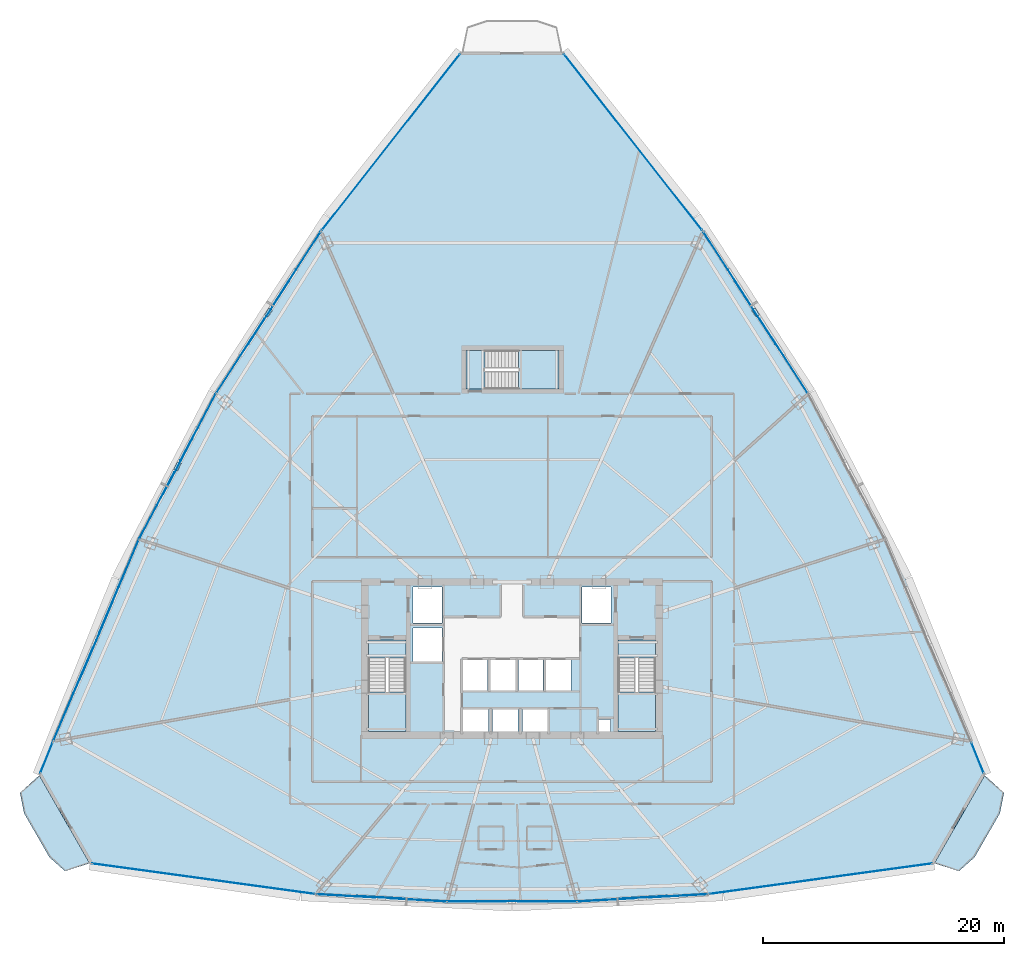
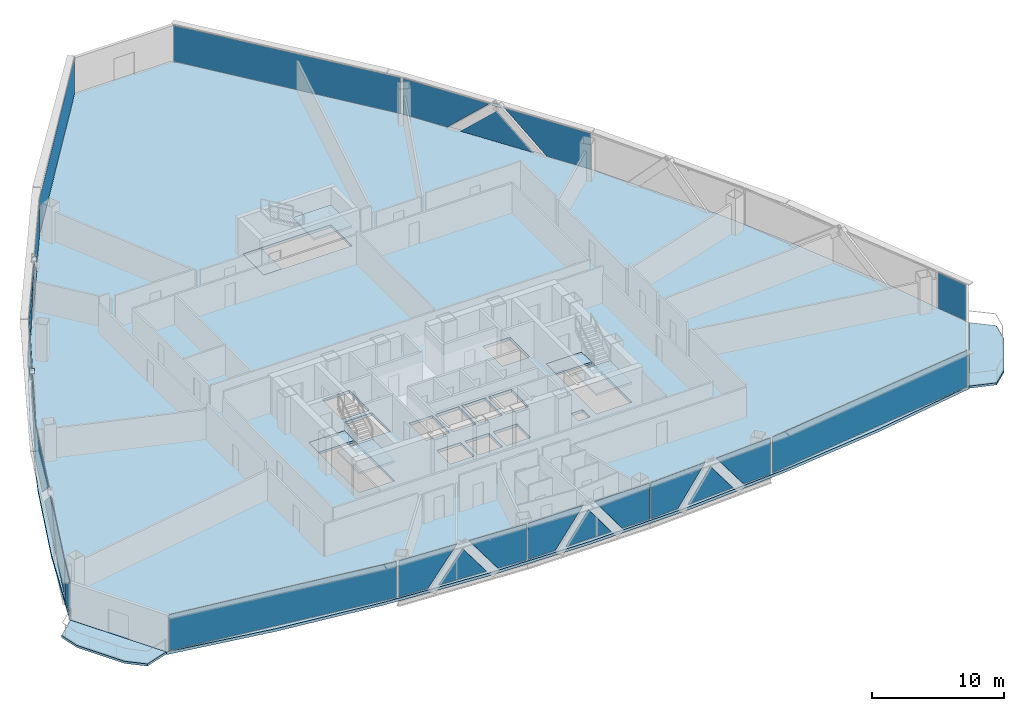
# One storey, part 30 of 39: 30 plates, 9 slabs, 16 elements without a shape of their own.
"""IFC4 building model written with IfcOpenShell, lengths in metres."""

import ifcopenshell
import ifcopenshell.guid

model = None  # the IFC model being written
_history = None  # IfcOwnerHistory: only IFC2X3 demands one
_inside = {}  # id of a spatial element -> (the spatial element, [elements in it])
_under = {}  # id of a project, library or spatial element -> (it, [spatial elements below it])
_declared = {}  # id of a project -> (the project, [libraries it declares])
_typed = {}  # id of a type object -> (the type object, [elements of that type])
_made_of = {}  # id of a material, layer set ... -> (it, [elements and type objects made of it])


def new_model(schema):
    """Start an empty IFC model of exactly this schema.

    Asked for "IFC4X3", IfcOpenShell would pick the latest addendum, in which some entities
    have other attributes; the version numbers below select the first issue.
    IFC2X3 requires an IfcOwnerHistory on every rooted entity: one is made here for all.
    """
    global model, _history
    if schema == "IFC4X3":
        model = ifcopenshell.file(schema_version=(4, 3, 0, 0))
    else:
        model = ifcopenshell.file(schema=schema)
    _inside.clear()
    _under.clear()
    _declared.clear()
    _typed.clear()
    _made_of.clear()
    _history = None
    if model.schema == "IFC2X3":
        org = make("IfcOrganization", Name="unknown")
        user = make(
            "IfcPersonAndOrganization",
            ThePerson=make("IfcPerson", FamilyName="unknown"),
            TheOrganization=org,
        )
        app = make(
            "IfcApplication",
            ApplicationDeveloper=org,
            Version="unknown",
            ApplicationFullName="unknown",
            ApplicationIdentifier="unknown",
        )
        _history = make(
            "IfcOwnerHistory",
            OwningUser=user,
            OwningApplication=app,
            ChangeAction="ADDED",
            CreationDate=0,
        )
    return model


def make(cls, **values):
    """One entity of the class cls with the attributes given. An attribute that is None is left unset."""
    return model.create_entity(
        cls, **{name: value for name, value in values.items() if value is not None}
    )


def rooted(cls, **values):
    """An entity with a GlobalId (a new one), such as an element, a storey or a relation."""
    return make(cls, GlobalId=ifcopenshell.guid.new(), OwnerHistory=_history, **values)


def si_unit(unit_type, name, prefix=None):
    """IfcSIUnit, for example si_unit("LENGTHUNIT", "METRE", prefix="MILLI")."""
    return make("IfcSIUnit", UnitType=unit_type, Prefix=prefix, Name=name)


def assignment(units):
    """IfcUnitAssignment: the units of a project."""
    return None if units is None else make("IfcUnitAssignment", Units=units)


def point(xyz):
    """IfcCartesianPoint."""
    return None if xyz is None else make("IfcCartesianPoint", Coordinates=xyz)


def direction(xyz):
    """IfcDirection."""
    return None if xyz is None else make("IfcDirection", DirectionRatios=xyz)


def frame(location, z_axis=None, x_axis=None):
    """IfcAxis2Placement3D, a coordinate frame: its origin and axes. An axis left out is left unset."""
    return make(
        "IfcAxis2Placement3D",
        Location=point(location),
        Axis=direction(z_axis),
        RefDirection=direction(x_axis),
    )


def frame_2d(location, x_axis=None):
    """IfcAxis2Placement2D, a coordinate frame in the plane: its origin and x axis."""
    return make(
        "IfcAxis2Placement2D", Location=point(location), RefDirection=direction(x_axis)
    )


def origin():
    """The frame at (0, 0, 0) with its axes left unset."""
    return frame((0.0, 0.0, 0.0))


def origin_2d():
    """The frame at (0, 0) in the plane with its x axis left unset."""
    return frame_2d((0.0, 0.0))


def place(relative_to, where):
    """IfcLocalPlacement: puts the frame where relative to a parent placement (None: the world)."""
    return make(
        "IfcLocalPlacement", PlacementRelTo=relative_to, RelativePlacement=where
    )


def context(
    kind, dimensions, precision=None, world=None, true_north=None, identifier=None
):
    """IfcGeometricRepresentationContext, for example the 3D "Model" context."""
    return make(
        "IfcGeometricRepresentationContext",
        ContextIdentifier=identifier,
        ContextType=kind,
        CoordinateSpaceDimension=dimensions,
        Precision=precision,
        WorldCoordinateSystem=world,
        TrueNorth=true_north,
    )


def subcontext(parent, identifier, kind, view, scale=None):
    """IfcGeometricRepresentationSubContext, for example "Body" below "Model"."""
    return make(
        "IfcGeometricRepresentationSubContext",
        ContextIdentifier=identifier,
        ContextType=kind,
        ParentContext=parent,
        TargetScale=scale,
        TargetView=view,
    )


def project(units=None, contexts=None):
    """IfcProject with its units and contexts."""
    return rooted(
        "IfcProject",
        Name="project",
        RepresentationContexts=contexts,
        UnitsInContext=assignment(units),
    )


def spatial(cls, under=None, at=None, **own):
    """A site, building, storey or space (cls), placed at a placement, below another one or the project."""
    s = rooted(cls, ObjectPlacement=at, **own)
    if under is not None:
        _under.setdefault(under.id(), (under, []))[1].append(s)
    return s


def polyline(points):
    """IfcPolyline through the points."""
    return make("IfcPolyline", Points=[point(p) for p in points])


def profile(cls, at=None, kind="AREA", **sizes):
    """A parametric profile (cls). Its sizes go by their IFC names, for example OverallWidth=200.0."""
    return make(cls, ProfileType=kind, Position=at, **sizes)


def rectangle(**sizes):
    """IfcRectangleProfileDef."""
    return profile("IfcRectangleProfileDef", **sizes)


def outline(outer, holes=None, kind="AREA"):
    """IfcArbitraryClosedProfileDef: a profile drawn as a closed curve; with holes, ...WithVoids."""
    if holes is None:
        return make("IfcArbitraryClosedProfileDef", ProfileType=kind, OuterCurve=outer)
    return make(
        "IfcArbitraryProfileDefWithVoids",
        ProfileType=kind,
        OuterCurve=outer,
        InnerCurves=holes,
    )


def extrude(swept, where, along, depth):
    """IfcExtrudedAreaSolid: the profile swept, set in the frame where, extruded along a direction by depth."""
    return make(
        "IfcExtrudedAreaSolid",
        SweptArea=swept,
        Position=where,
        ExtrudedDirection=direction(along),
        Depth=depth,
    )


def shape(context_of_items, identifier, shape_type, items):
    """IfcShapeRepresentation: the items that make up one representation, for example the "Body"."""
    return make(
        "IfcShapeRepresentation",
        ContextOfItems=context_of_items,
        RepresentationIdentifier=identifier,
        RepresentationType=shape_type,
        Items=items,
    )


def source(mapping_origin, context_of_items, identifier, shape_type, items):
    """IfcRepresentationMap: a shape defined once, which mapped items show again and again."""
    return make(
        "IfcRepresentationMap",
        MappingOrigin=mapping_origin,
        MappedRepresentation=shape(context_of_items, identifier, shape_type, items),
    )


def transform(
    local_origin,
    x_axis=None,
    y_axis=None,
    z_axis=None,
    scale=None,
    scale2=None,
    scale3=None,
    uniform=True,
):
    """IfcCartesianTransformationOperator3D, or its non-uniform kind. x_axis, y_axis, z_axis: its Axis1, 2, 3."""
    if uniform:
        return make(
            "IfcCartesianTransformationOperator3D",
            Axis1=direction(x_axis),
            Axis2=direction(y_axis),
            LocalOrigin=point(local_origin),
            Scale=scale,
            Axis3=direction(z_axis),
        )
    return make(
        "IfcCartesianTransformationOperator3DnonUniform",
        Axis1=direction(x_axis),
        Axis2=direction(y_axis),
        LocalOrigin=point(local_origin),
        Scale=scale,
        Axis3=direction(z_axis),
        Scale2=scale2,
        Scale3=scale3,
    )


def mapped(mapping_source, mapping_target):
    """IfcMappedItem: shows the shape of a source again, moved by a transform."""
    return make(
        "IfcMappedItem", MappingSource=mapping_source, MappingTarget=mapping_target
    )


def material(Name=None, Category=None):
    """IfcMaterial."""
    return make("IfcMaterial", Name=Name, Category=Category)


def layer(
    of_material, thickness, ventilated=None, Name=None, Category=None, Priority=None
):
    """IfcMaterialLayer: one layer of a wall or slab, of a material (None: an air gap)."""
    return make(
        "IfcMaterialLayer",
        Material=of_material,
        LayerThickness=thickness,
        IsVentilated=ventilated,
        Name=Name,
        Category=Category,
        Priority=Priority,
    )


def layer_set(layers, Name=None):
    """IfcMaterialLayerSet."""
    return make("IfcMaterialLayerSet", MaterialLayers=layers, LayerSetName=Name)


def made_of(thing, what):
    """Note that an element or type object is made of a material, layer set ...; save() writes the relation."""
    if what is not None:
        _made_of.setdefault(what.id(), (what, []))[1].append(thing)
    return thing


def type_object(cls, material=None, **own):
    """A type object (cls), such as IfcWallType, which elements share."""
    return made_of(rooted(cls, **own), material)


def element(
    cls,
    number,
    at=None,
    inside=None,
    cuts=None,
    type_object=None,
    material=None,
    context=None,
    identifier="Body",
    shape_type=None,
    held_by="IfcProductDefinitionShape",
    body=None,
    shapes=None,
    **own,
):
    """One element of the class cls, such as IfcWall. Its Tag is "e" and its number.

    at: its placement. inside: the storey or other place that contains it. cuts: it is an
    opening in that element (IfcRelVoidsElement). A single representation is given by context,
    identifier, shape_type and body (its items); several are given by shapes. held_by: the class
    of the entity that holds the representations. save() writes the other relations.
    """
    e = rooted(cls, Tag="e%d" % number, ObjectPlacement=at, **own)
    if body is not None:
        shapes = [shape(context, identifier, shape_type, body)]
    if shapes is not None:
        e.Representation = make(held_by, Representations=shapes)
    if inside is not None:
        _inside.setdefault(inside.id(), (inside, []))[1].append(e)
    if cuts is not None:
        rooted(
            "IfcRelVoidsElement", RelatingBuildingElement=cuts, RelatedOpeningElement=e
        )
    if type_object is not None:
        _typed.setdefault(type_object.id(), (type_object, []))[1].append(e)
    return made_of(e, material)


def aggregate(whole, parts):
    """IfcRelAggregates: a whole, such as a stair, and the parts it consists of."""
    return rooted("IfcRelAggregates", RelatingObject=whole, RelatedObjects=parts)


def save(model, path):
    """Write the relations noted so far, then the file.

    IfcRelAggregates (storeys below a building ...), IfcRelContainedInSpatialStructure (elements
    in a storey), IfcRelDefinesByType, IfcRelAssociatesMaterial and IfcRelDeclares: one each for
    every whole, place, type object, material and project.
    """
    for whole, parts in _under.values():
        aggregate(whole, parts)
    for where, things in _inside.values():
        rooted(
            "IfcRelContainedInSpatialStructure",
            RelatedElements=things,
            RelatingStructure=where,
        )
    for kind, things in _typed.values():
        rooted("IfcRelDefinesByType", RelatedObjects=things, RelatingType=kind)
    for what, things in _made_of.values():
        rooted("IfcRelAssociatesMaterial", RelatedObjects=things, RelatingMaterial=what)
    for by, libraries in _declared.values():
        rooted("IfcRelDeclares", RelatingContext=by, RelatedDefinitions=libraries)
    model.write(path)


model = new_model("IFC4")

# Units and contexts
model_context = context("Model", 3, precision=1e-05, world=origin(), true_north=direction((0.0, 1.0)))
body_context = subcontext(model_context, "Body", "Model", "MODEL_VIEW")
ifc_project = project(units=[si_unit("LENGTHUNIT", "METRE"), si_unit("AREAUNIT", "SQUARE_METRE"), si_unit("VOLUMEUNIT", "CUBIC_METRE"), si_unit("PLANEANGLEUNIT", "RADIAN"), si_unit("MASSUNIT", "GRAM", prefix="KILO"), si_unit("THERMODYNAMICTEMPERATUREUNIT", "KELVIN"), si_unit("POWERUNIT", "WATT")], contexts=[model_context])

# Site, building, storey
site_placement = place(None, origin())
site = spatial("IfcSite", under=ifc_project, at=site_placement, CompositionType="ELEMENT")
building_placement = place(site_placement, origin())
building = spatial("IfcBuilding", under=site, at=building_placement, Name="Yunzhuo Pagoda Commons", CompositionType="ELEMENT")
storey_placement = place(building_placement, frame((0.0, 0.0, 162.949951171875)))
storey = spatial("IfcBuildingStorey", under=building, at=storey_placement, Name="L41", CompositionType="ELEMENT", Elevation=162.949951171875)

# Curtain wall, plates
ifc_material_1 = material(Name="Anodized aluminium 6063-T6", Category="aluminium")
ifc_layer_1 = layer(ifc_material_1, 0.14990234375)
ifc_layer_set_1 = layer_set([ifc_layer_1], Name="Anodized aluminium 6063-T6")
curtain_wall_type = type_object("IfcCurtainWallType", Name="CW-MID Mid-Zone Ribbon Curtain Wall", PredefinedType="NOTDEFINED", material=ifc_layer_set_1)
curtain_wall_1_placement = place(storey_placement, origin())
curtain_wall_1 = element("IfcCurtainWall", 1, at=curtain_wall_1_placement, inside=storey, type_object=curtain_wall_type, Name="L41 curtain wall CW-L41-F1B2", PredefinedType="NOTDEFINED")
ifc_material_2 = material(Name="Tempered low-e double glazing", Category="glass")
ifc_layer_2 = layer(ifc_material_2, 0.028076171875)
ifc_layer_set_2 = layer_set([ifc_layer_2], Name="Tempered low-e double glazing")
plate_type_1 = type_object("IfcPlateType", Name="CW-MID-P Low-E Double Glazing 28", PredefinedType="CURTAIN_PANEL", material=ifc_layer_set_2)
plate_1_placement = place(storey_placement, frame((34.23974609375, 14.195068359375, 1.7099609375), z_axis=(-0.056298716731, -0.998413969501, 0.0), x_axis=(0.998413969501, -0.056298716731, 0.0)))
plate_1 = element("IfcPlate", 2, at=plate_1_placement, type_object=plate_type_1, Name="CW panel 1.1 lite 1", PredefinedType="CURTAIN_PANEL", context=body_context, shape_type="SweptSolid", body=[
    extrude(outline(polyline([(-2.443115234375, -1.655029296875), (-0.012451171875, -1.655029296875), (2.443115234375, 1.655029296875), (-2.443115234375, 1.655029296875), (-2.443115234375, -1.655029296875)])), origin(), (0.0, 0.0, 1.0), 0.028076171875),
])
plate_2_placement = place(storey_placement, frame((37.19384765625, 14.05859375, 1.418701171875), z_axis=(-0.056298716731, -0.998413969501, 0.0), x_axis=(0.998413969501, -0.056298716731, 0.0)))
plate_2 = element("IfcPlate", 3, at=plate_2_placement, type_object=plate_type_1, Name="CW panel 1.1 lite 2", PredefinedType="CURTAIN_PANEL", context=body_context, shape_type="SweptSolid", body=[
    extrude(outline(polyline([(-2.023193359375, -1.363525390625), (2.023193359375, -1.363525390625), (0.0, 1.363525390625), (-2.023193359375, -1.363525390625)])), origin(), (0.0, 0.0, 1.0), 0.028076171875),
])
plate_3_placement = place(storey_placement, frame((40.14453125, 13.862060546875, 1.7099609375), z_axis=(-0.056298716731, -0.998413969501, 0.0), x_axis=(0.998413969501, -0.056298716731, 0.0)))
plate_3 = element("IfcPlate", 4, at=plate_3_placement, type_object=plate_type_1, Name="CW panel 1.1 lite 3", PredefinedType="CURTAIN_PANEL", context=body_context, shape_type="SweptSolid", body=[
    extrude(outline(polyline([(-2.443115234375, 1.655029296875), (0.012451171875, -1.655029296875), (2.443115234375, -1.655029296875), (2.443115234375, 1.655029296875), (-2.443115234375, 1.655029296875)])), origin(), (0.0, 0.0, 1.0), 0.028076171875),
])
aggregate(curtain_wall_1, [plate_1, plate_2, plate_3])

curtain_wall_2_placement = place(storey_placement, origin())
curtain_wall_2 = element("IfcCurtainWall", 5, at=curtain_wall_2_placement, inside=storey, type_object=curtain_wall_type, Name="L41 curtain wall CW-L41-F1B3", PredefinedType="NOTDEFINED")
plate_4_placement = place(storey_placement, frame((45.096435546875, 13.72119140625, 1.7099609375), z_axis=(0.0, -1.0, 0.0), x_axis=(1.0, 0.0, 0.0)))
plate_4 = element("IfcPlate", 6, at=plate_4_placement, type_object=plate_type_1, Name="CW panel 1.1 lite 1", PredefinedType="CURTAIN_PANEL", context=body_context, shape_type="SweptSolid", body=[
    extrude(outline(polyline([(-2.3935546875, -1.655029296875), (-0.015625, -1.655029296875), (2.3935546875, 1.655029296875), (-2.3935546875, 1.655029296875), (-2.3935546875, -1.655029296875)])), origin(), (0.0, 0.0, 1.0), 0.028076171875),
])
plate_5_placement = place(storey_placement, frame((48.0, 13.75146484375, 1.41455078125), z_axis=(0.0, -1.0, 0.0), x_axis=(1.0, 0.0, 0.0)))
plate_5 = element("IfcPlate", 7, at=plate_5_placement, type_object=plate_type_1, Name="CW panel 1.1 lite 2", PredefinedType="CURTAIN_PANEL", context=body_context, shape_type="SweptSolid", body=[
    extrude(outline(polyline([(-1.979248046875, -1.359619140625), (1.979248046875, -1.359619140625), (0.0, 1.359619140625), (-1.979248046875, -1.359619140625)])), origin(), (0.0, 0.0, 1.0), 0.028076171875),
])
plate_6_placement = place(storey_placement, frame((50.903564453125, 13.72119140625, 1.7099609375), z_axis=(0.0, -1.0, 0.0), x_axis=(1.0, 0.0, 0.0)))
plate_6 = element("IfcPlate", 8, at=plate_6_placement, type_object=plate_type_1, Name="CW panel 1.1 lite 3", PredefinedType="CURTAIN_PANEL", context=body_context, shape_type="SweptSolid", body=[
    extrude(outline(polyline([(-2.3935546875, 1.655029296875), (0.015625, -1.655029296875), (2.3935546875, -1.655029296875), (2.3935546875, 1.655029296875), (-2.3935546875, 1.655029296875)])), origin(), (0.0, 0.0, 1.0), 0.028076171875),
])
aggregate(curtain_wall_2, [plate_4, plate_5, plate_6])

curtain_wall_3_placement = place(storey_placement, origin())
curtain_wall_3 = element("IfcCurtainWall", 9, at=curtain_wall_3_placement, inside=storey, type_object=curtain_wall_type, Name="L41 curtain wall CW-L41-F1B4", PredefinedType="NOTDEFINED")
plate_7_placement = place(storey_placement, frame((55.85546875, 13.862060546875, 1.7099609375), z_axis=(0.056298716731, -0.998413969501, 0.0), x_axis=(0.998413969501, 0.056298716731, 0.0)))
plate_7 = element("IfcPlate", 10, at=plate_7_placement, type_object=plate_type_1, Name="CW panel 1.1 lite 1", PredefinedType="CURTAIN_PANEL", context=body_context, shape_type="SweptSolid", body=[
    extrude(outline(polyline([(-2.443115234375, -1.655029296875), (-0.012451171875, -1.655029296875), (2.443115234375, 1.655029296875), (-2.443115234375, 1.655029296875), (-2.443115234375, -1.655029296875)])), origin(), (0.0, 0.0, 1.0), 0.028076171875),
])
plate_8_placement = place(storey_placement, frame((58.80615234375, 14.05859375, 1.418701171875), z_axis=(0.056298716731, -0.998413969501, 0.0), x_axis=(0.998413969501, 0.056298716731, 0.0)))
plate_8 = element("IfcPlate", 11, at=plate_8_placement, type_object=plate_type_1, Name="CW panel 1.1 lite 2", PredefinedType="CURTAIN_PANEL", context=body_context, shape_type="SweptSolid", body=[
    extrude(outline(polyline([(-2.023193359375, -1.363525390625), (2.023193359375, -1.363525390625), (0.0, 1.363525390625), (-2.023193359375, -1.363525390625)])), origin(), (0.0, 0.0, 1.0), 0.028076171875),
])
plate_9_placement = place(storey_placement, frame((61.76025390625, 14.195068359375, 1.7099609375), z_axis=(0.056298716731, -0.998413969501, 0.0), x_axis=(0.998413969501, 0.056298716731, 0.0)))
plate_9 = element("IfcPlate", 12, at=plate_9_placement, type_object=plate_type_1, Name="CW panel 1.1 lite 3", PredefinedType="CURTAIN_PANEL", context=body_context, shape_type="SweptSolid", body=[
    extrude(outline(polyline([(-2.443115234375, 1.655029296875), (0.012451171875, -1.655029296875), (2.443115234375, -1.655029296875), (2.443115234375, 1.655029296875), (-2.443115234375, 1.655029296875)])), origin(), (0.0, 0.0, 1.0), 0.028076171875),
])
aggregate(curtain_wall_3, [plate_7, plate_8, plate_9])

curtain_wall_4_placement = place(storey_placement, origin())
curtain_wall_4 = element("IfcCurtainWall", 13, at=curtain_wall_4_placement, inside=storey, type_object=curtain_wall_type, Name="L41 curtain wall CW-L41-F2B4", PredefinedType="NOTDEFINED")
plate_10_placement = place(storey_placement, frame((70.509033203125, 58.92333984375, 1.7099609375), z_axis=(0.839466065689, 0.543412113002, 0.0), x_axis=(-0.543412113002, 0.839466065689, 0.0)))
plate_10 = element("IfcPlate", 14, at=plate_10_placement, type_object=plate_type_1, Name="CW panel 1.1 lite 1", PredefinedType="CURTAIN_PANEL", context=body_context, shape_type="SweptSolid", body=[
    extrude(outline(polyline([(-3.667724609375, -1.655029296875), (0.06201171875, -1.655029296875), (3.66748046875, 1.655029296875), (-3.667724609375, 1.655029296875), (-3.667724609375, -1.655029296875)])), origin(), (0.0, 0.0, 1.0), 0.028076171875),
])
plate_11_placement = place(storey_placement, frame((68.15283203125, 62.5078125, 1.479736328125), z_axis=(0.839466065689, 0.543412113002, 0.0), x_axis=(-0.543412113002, 0.839466065689, 0.0)))
plate_11 = element("IfcPlate", 15, at=plate_11_placement, type_object=plate_type_1, Name="CW panel 1.1 lite 2", PredefinedType="CURTAIN_PANEL", context=body_context, shape_type="SweptSolid", body=[
    extrude(outline(polyline([(-3.103515625, -1.424560546875), (3.103515625, -1.424560546875), (0.0, 1.424560546875), (-3.103515625, -1.424560546875)])), origin(), (0.0, 0.0, 1.0), 0.028076171875),
])
plate_12_placement = place(storey_placement, frame((65.84716796875, 66.125, 1.7099609375), z_axis=(0.839466065689, 0.543412113002, 0.0), x_axis=(-0.543412113002, 0.839466065689, 0.0)))
plate_12 = element("IfcPlate", 16, at=plate_12_placement, type_object=plate_type_1, Name="CW panel 1.1 lite 3", PredefinedType="CURTAIN_PANEL", context=body_context, shape_type="SweptSolid", body=[
    extrude(outline(polyline([(-3.66748046875, 1.655029296875), (-0.06201171875, -1.655029296875), (3.667724609375, -1.655029296875), (3.667724609375, 1.655029296875), (-3.66748046875, 1.655029296875)])), origin(), (0.0, 0.0, 1.0), 0.028076171875),
])
aggregate(curtain_wall_4, [plate_10, plate_11, plate_12])

curtain_wall_5_placement = place(storey_placement, origin())
curtain_wall_5 = element("IfcCurtainWall", 17, at=curtain_wall_5_placement, inside=storey, type_object=curtain_wall_type, Name="L41 curtain wall CW-L41-F3B2", PredefinedType="NOTDEFINED")
plate_13_placement = place(storey_placement, frame((30.15283203125, 66.125, 1.7099609375), z_axis=(-0.839466065689, 0.543412113002, 0.0), x_axis=(-0.543412113002, -0.839466065689, 0.0)))
plate_13 = element("IfcPlate", 18, at=plate_13_placement, type_object=plate_type_1, Name="CW panel 1.1 lite 1", PredefinedType="CURTAIN_PANEL", context=body_context, shape_type="SweptSolid", body=[
    extrude(outline(polyline([(-3.667724609375, -1.655029296875), (0.06201171875, -1.655029296875), (3.66748046875, 1.655029296875), (-3.667724609375, 1.655029296875), (-3.667724609375, -1.655029296875)])), origin(), (0.0, 0.0, 1.0), 0.028076171875),
])
plate_14_placement = place(storey_placement, frame((27.84716796875, 62.5078125, 1.479736328125), z_axis=(-0.839466065689, 0.543412113002, 0.0), x_axis=(-0.543412113002, -0.839466065689, 0.0)))
plate_14 = element("IfcPlate", 19, at=plate_14_placement, type_object=plate_type_1, Name="CW panel 1.1 lite 2", PredefinedType="CURTAIN_PANEL", context=body_context, shape_type="SweptSolid", body=[
    extrude(outline(polyline([(-3.103515625, -1.424560546875), (3.103515625, -1.424560546875), (0.0, 1.424560546875), (-3.103515625, -1.424560546875)])), origin(), (0.0, 0.0, 1.0), 0.028076171875),
])
plate_15_placement = place(storey_placement, frame((25.490966796875, 58.92333984375, 1.7099609375), z_axis=(-0.839466065689, 0.543412113002, 0.0), x_axis=(-0.543412113002, -0.839466065689, 0.0)))
plate_15 = element("IfcPlate", 20, at=plate_15_placement, type_object=plate_type_1, Name="CW panel 1.1 lite 3", PredefinedType="CURTAIN_PANEL", context=body_context, shape_type="SweptSolid", body=[
    extrude(outline(polyline([(-3.66748046875, 1.655029296875), (-0.06201171875, -1.655029296875), (3.667724609375, -1.655029296875), (3.667724609375, 1.655029296875), (-3.66748046875, 1.655029296875)])), origin(), (0.0, 0.0, 1.0), 0.028076171875),
])
aggregate(curtain_wall_5, [plate_13, plate_14, plate_15])

curtain_wall_6_placement = place(storey_placement, origin())
curtain_wall_6 = element("IfcCurtainWall", 21, at=curtain_wall_6_placement, inside=storey, type_object=curtain_wall_type, Name="L41 curtain wall CW-L41-F3B3", PredefinedType="NOTDEFINED")
plate_16_placement = place(storey_placement, frame((21.9931640625, 53.005859375, 1.7099609375), z_axis=(-0.88426270096, 0.466989802556, 0.0), x_axis=(-0.466989802556, -0.88426270096, 0.0)))
plate_16 = element("IfcPlate", 22, at=plate_16_placement, type_object=plate_type_1, Name="CW panel 1.1 lite 1", PredefinedType="CURTAIN_PANEL", context=body_context, shape_type="SweptSolid", body=[
    extrude(outline(polyline([(-3.09423828125, -1.655029296875), (0.0283203125, -1.655029296875), (3.094482421875, 1.655029296875), (-3.09423828125, 1.655029296875), (-3.09423828125, -1.655029296875)])), origin(), (0.0, 0.0, 1.0), 0.028076171875),
])
plate_17_placement = place(storey_placement, frame((20.308837890625, 49.75244140625, 1.4580078125), z_axis=(-0.88426270096, 0.466989802556, 0.0), x_axis=(-0.466989802556, -0.88426270096, 0.0)))
plate_17 = element("IfcPlate", 23, at=plate_17_placement, type_object=plate_type_1, Name="CW panel 1.1 lite 2", PredefinedType="CURTAIN_PANEL", context=body_context, shape_type="SweptSolid", body=[
    extrude(outline(polyline([(-2.59912109375, -1.40283203125), (2.59912109375, -1.40283203125), (0.0, 1.40283203125), (-2.59912109375, -1.40283203125)])), origin(), (0.0, 0.0, 1.0), 0.028076171875),
])
plate_18_placement = place(storey_placement, frame((18.571533203125, 46.52734375, 1.7099609375), z_axis=(-0.88426270096, 0.466989802556, 0.0), x_axis=(-0.466989802556, -0.88426270096, 0.0)))
plate_18 = element("IfcPlate", 24, at=plate_18_placement, type_object=plate_type_1, Name="CW panel 1.1 lite 3", PredefinedType="CURTAIN_PANEL", context=body_context, shape_type="SweptSolid", body=[
    extrude(outline(polyline([(-3.094482421875, 1.655029296875), (-0.0283203125, -1.655029296875), (3.09423828125, -1.655029296875), (3.09423828125, 1.655029296875), (-3.094482421875, 1.655029296875)])), origin(), (0.0, 0.0, 1.0), 0.028076171875),
])
aggregate(curtain_wall_6, [plate_16, plate_17, plate_18])

curtain_wall_7_placement = place(storey_placement, origin())
curtain_wall_7 = element("IfcCurtainWall", 25, at=curtain_wall_7_placement, inside=storey, type_object=curtain_wall_type, Name="L41 curtain wall CW-L41-F3B4", PredefinedType="NOTDEFINED")
plate_19_placement = place(storey_placement, frame((15.439453125, 39.833251953125, 1.7099609375), z_axis=(-0.920363798122, 0.391063267395, 0.0), x_axis=(-0.391063267395, -0.920363798122, 0.0)))
plate_19 = element("IfcPlate", 26, at=plate_19_placement, type_object=plate_type_1, Name="CW panel 1.1 lite 1", PredefinedType="CURTAIN_PANEL", context=body_context, shape_type="SweptSolid", body=[
    extrude(outline(polyline([(-4.183837890625, -1.655029296875), (0.09130859375, -1.655029296875), (4.183837890625, 1.655029296875), (-4.183837890625, 1.655029296875), (-4.183837890625, -1.655029296875)])), origin(), (0.0, 0.0, 1.0), 0.028076171875),
])
plate_20_placement = place(storey_placement, frame((13.56787109375, 35.352294921875, 1.4931640625), z_axis=(-0.920363798122, 0.391063267395, 0.0), x_axis=(-0.391063267395, -0.920363798122, 0.0)))
plate_20 = element("IfcPlate", 27, at=plate_20_placement, type_object=plate_type_1, Name="CW panel 1.1 lite 2", PredefinedType="CURTAIN_PANEL", context=body_context, shape_type="SweptSolid", body=[
    extrude(outline(polyline([(-3.55615234375, -1.438232421875), (3.55615234375, -1.438232421875), (0.0, 1.438232421875), (-3.55615234375, -1.438232421875)])), origin(), (0.0, 0.0, 1.0), 0.028076171875),
])
plate_21_placement = place(storey_placement, frame((11.641357421875, 30.89453125, 1.7099609375), z_axis=(-0.920363798122, 0.391063267395, 0.0), x_axis=(-0.391063267395, -0.920363798122, 0.0)))
plate_21 = element("IfcPlate", 28, at=plate_21_placement, type_object=plate_type_1, Name="CW panel 1.1 lite 3", PredefinedType="CURTAIN_PANEL", context=body_context, shape_type="SweptSolid", body=[
    extrude(outline(polyline([(-4.183837890625, 1.655029296875), (-0.09130859375, -1.655029296875), (4.183837890625, -1.655029296875), (4.183837890625, 1.655029296875), (-4.183837890625, 1.655029296875)])), origin(), (0.0, 0.0, 1.0), 0.028076171875),
])
aggregate(curtain_wall_7, [plate_19, plate_20, plate_21])

# Slabs
ifc_material_3 = material(Name="Concrete C40", Category="concrete")
ifc_layer_3 = layer(ifc_material_3, 0.199951171875)
ifc_layer_set_3 = layer_set([ifc_layer_3], Name="Concrete C40")
slab_type_1 = type_object("IfcSlabType", Name="SL-BAL Vertex Balcony Deck Slab 200", PredefinedType="FLOOR", material=ifc_layer_set_3)
slab_1_placement = place(storey_placement, frame((0.0, 0.0, -0.199951171875)))
element("IfcSlab", 29, at=slab_1_placement, inside=storey, type_object=slab_type_1, Name="L41 corner balcony V1", PredefinedType="FLOOR", context=body_context, shape_type="SweptSolid", body=[
    extrude(outline(polyline([(8.81396484375, 24.16455078125), (12.994384765625, 16.883544921875), (10.95361328125, 16.230712890625), (9.655517578125, 17.38671875), (7.565185546875, 21.02734375), (7.22119140625, 22.731201171875), (8.81396484375, 24.16455078125)])), origin(), (0.0, 0.0, 1.0), 0.199951171875),
])
slab_2_placement = place(storey_placement, frame((0.0, 0.0, -0.199951171875)))
element("IfcSlab", 30, at=slab_2_placement, inside=storey, type_object=slab_type_1, Name="L41 corner balcony V2", PredefinedType="FLOOR", context=body_context, shape_type="SweptSolid", body=[
    extrude(outline(polyline([(83.005615234375, 16.883544921875), (87.18603515625, 24.16455078125), (88.77880859375, 22.731201171875), (88.434814453125, 21.02734375), (86.344482421875, 17.38671875), (85.04638671875, 16.230712890625), (83.005615234375, 16.883544921875)])), origin(), (0.0, 0.0, 1.0), 0.199951171875),
])

# Stair, slabs
stair_type_1 = type_object("IfcStairType", Name="ST-C1 Core Smokeproof Stair ST1", PredefinedType="HALF_TURN_STAIR", material=ifc_material_3)
stair_1_placement = place(storey_placement, origin())
stair_1 = element("IfcStair", 31, at=stair_1_placement, inside=storey, type_object=stair_type_1, Name="L41 Core smokeproof stair ST1", PredefinedType="HALF_TURN_STAIR")
ifc_layer_4 = layer(ifc_material_3, 0.199951171875)
ifc_layer_set_4 = layer_set([ifc_layer_4], Name="Concrete C40")
slab_type_2 = type_object("IfcSlabType", Name="SL-LND1 Stair Landing Slab 200", PredefinedType="LANDING", material=ifc_layer_set_4)
slab_3_placement = place(storey_placement, frame((0.0, 0.0, 1.64013671875)))
slab_3 = element("IfcSlab", 32, at=slab_3_placement, type_object=slab_type_2, Name="ST1 landing 1", PredefinedType="LANDING", context=body_context, shape_type="SweptSolid", body=[
    extrude(outline(polyline([(36.10009765625, 31.10009765625), (36.10009765625, 27.800048828125), (39.199951171875, 27.800048828125), (39.199951171875, 31.10009765625), (36.10009765625, 31.10009765625)])), origin(), (0.0, 0.0, 1.0), 0.199951171875),
])
slab_4_placement = place(storey_placement, frame((0.0, 0.0, -0.199951171875)))
slab_4 = element("IfcSlab", 33, at=slab_4_placement, type_object=slab_type_2, Name="ST1 floor landing L41", PredefinedType="LANDING", context=body_context, shape_type="SweptSolid", body=[
    extrude(outline(polyline([(36.10009765625, 35.39990234375), (36.10009765625, 33.89990234375), (39.199951171875, 33.89990234375), (39.199951171875, 35.39990234375), (36.10009765625, 35.39990234375)])), origin(), (0.0, 0.0, 1.0), 0.199951171875),
])
aggregate(stair_1, [slab_3, slab_4])

stair_type_2 = type_object("IfcStairType", Name="ST-C2 Core Smokeproof Stair ST2", PredefinedType="HALF_TURN_STAIR", material=ifc_material_3)
stair_2_placement = place(storey_placement, origin())
stair_2 = element("IfcStair", 34, at=stair_2_placement, inside=storey, type_object=stair_type_2, Name="L41 Core smokeproof stair ST2", PredefinedType="HALF_TURN_STAIR")
ifc_layer_5 = layer(ifc_material_3, 0.201904296875)
ifc_layer_set_5 = layer_set([ifc_layer_5], Name="Concrete C40")
slab_type_3 = type_object("IfcSlabType", Name="SL-LND2 Stair Landing Slab 202", PredefinedType="LANDING", material=ifc_layer_set_5)
slab_5_placement = place(storey_placement, frame((0.0, 0.0, 1.64013671875)))
slab_5 = element("IfcSlab", 35, at=slab_5_placement, type_object=slab_type_3, Name="ST2 landing 1", PredefinedType="LANDING", context=body_context, shape_type="SweptSolid", body=[
    extrude(outline(polyline([(56.800048828125, 31.10009765625), (56.800048828125, 27.800048828125), (59.89990234375, 27.800048828125), (59.89990234375, 31.10009765625), (56.800048828125, 31.10009765625)])), origin(), (0.0, 0.0, 1.0), 0.199951171875),
])
slab_6_placement = place(storey_placement, frame((0.0, 0.0, -0.199951171875)))
slab_6 = element("IfcSlab", 36, at=slab_6_placement, type_object=slab_type_3, Name="ST2 floor landing L41", PredefinedType="LANDING", context=body_context, shape_type="SweptSolid", body=[
    extrude(outline(polyline([(56.800048828125, 35.39990234375), (56.800048828125, 33.89990234375), (59.89990234375, 33.89990234375), (59.89990234375, 35.39990234375), (56.800048828125, 35.39990234375)])), origin(), (0.0, 0.0, 1.0), 0.199951171875),
])
aggregate(stair_2, [slab_5, slab_6])

stair_type_3 = type_object("IfcStairType", Name="ST-C3 North Tower Smokeproof Stair ST3", PredefinedType="HALF_TURN_STAIR", material=ifc_material_3)
stair_3_placement = place(storey_placement, origin())
stair_3 = element("IfcStair", 37, at=stair_3_placement, inside=storey, type_object=stair_type_3, Name="L41 North tower smokeproof stair ST3", PredefinedType="HALF_TURN_STAIR")
ifc_layer_6 = layer(ifc_material_3, 0.2041015625)
ifc_layer_set_6 = layer_set([ifc_layer_6], Name="Concrete C40")
slab_type_4 = type_object("IfcSlabType", Name="SL-LND5 North Landing Slab 204", PredefinedType="LANDING", material=ifc_layer_set_6)
slab_7_placement = place(storey_placement, frame((0.0, 0.0, 1.64013671875)))
slab_7 = element("IfcSlab", 38, at=slab_7_placement, type_object=slab_type_4, Name="ST3 landing 1", PredefinedType="LANDING", context=body_context, shape_type="SweptSolid", body=[
    extrude(outline(polyline([(48.550048828125, 56.199951171875), (51.89990234375, 56.199951171875), (51.89990234375, 59.39990234375), (48.550048828125, 59.39990234375), (48.550048828125, 56.199951171875)])), origin(), (0.0, 0.0, 1.0), 0.199951171875),
])
slab_8_placement = place(storey_placement, frame((0.0, 0.0, -0.199951171875)))
slab_8 = element("IfcSlab", 39, at=slab_8_placement, type_object=slab_type_4, Name="ST3 floor landing L41", PredefinedType="LANDING", context=body_context, shape_type="SweptSolid", body=[
    extrude(outline(polyline([(44.199951171875, 56.199951171875), (45.75, 56.199951171875), (45.75, 59.39990234375), (44.199951171875, 59.39990234375), (44.199951171875, 56.199951171875)])), origin(), (0.0, 0.0, 1.0), 0.199951171875),
])
aggregate(stair_3, [slab_7, slab_8])

# Slab
ifc_layer_7 = layer(ifc_material_3, 0.260009765625)
ifc_layer_set_7 = layer_set([ifc_layer_7], Name="Concrete C40")
slab_type_5 = type_object("IfcSlabType", Name="SL-TWR Typical Tower Floor Slab 260", PredefinedType="FLOOR", material=ifc_layer_set_7)
slab_9_placement = place(storey_placement, frame((0.0, 0.0, -0.260009765625)))
element("IfcSlab", 40, at=slab_9_placement, inside=storey, type_object=slab_type_5, Name="L41 structural floor slab", PredefinedType="FLOOR", context=body_context, shape_type="SweptSolid", body=[
    extrude(outline(polyline([(11.90625, 32.41357421875), (15.362060546875, 40.4453125), (19.185546875, 48.262451171875), (23.376953125, 55.86474609375), (27.935791015625, 63.252685546875), (32.86279296875, 70.42578125), (38.1572265625, 77.384033203125), (43.8193359375, 84.1279296875), (52.1806640625, 84.1279296875), (57.8427734375, 77.384033203125), (63.13720703125, 70.42578125), (68.064208984375, 63.252685546875), (72.623046875, 55.86474609375), (76.814453125, 48.262451171875), (80.637939453125, 40.4453125), (84.09375, 32.41357421875), (87.181884765625, 24.1669921875), (83.001220703125, 16.885986328125), (74.2509765625, 15.395751953125), (65.50048828125, 14.331298828125), (56.750244140625, 13.6923828125), (48.0, 13.4794921875), (39.249755859375, 13.6923828125), (30.49951171875, 14.331298828125), (21.7490234375, 15.395751953125), (12.998779296875, 16.885986328125), (8.818115234375, 24.1669921875), (11.90625, 32.41357421875)]), holes=[polyline([(46.050048828125, 29.64990234375), (43.949951171875, 29.64990234375), (43.949951171875, 27.60009765625), (46.050048828125, 27.60009765625), (46.050048828125, 29.64990234375)]), polyline([(48.5, 27.60009765625), (48.5, 29.64990234375), (46.39990234375, 29.64990234375), (46.39990234375, 27.60009765625), (48.5, 27.60009765625)]), polyline([(36.10009765625, 27.800048828125), (39.199951171875, 27.800048828125), (39.199951171875, 35.39990234375), (36.10009765625, 35.39990234375), (36.10009765625, 27.800048828125)]), polyline([(45.969970703125, 31.199951171875), (45.969970703125, 33.800048828125), (43.929931640625, 33.800048828125), (43.929931640625, 31.199951171875), (45.969970703125, 31.199951171875)]), polyline([(48.27001953125, 31.199951171875), (48.27001953125, 33.800048828125), (46.22998046875, 33.800048828125), (46.22998046875, 31.199951171875), (48.27001953125, 31.199951171875)]), polyline([(42.199951171875, 33.60009765625), (42.199951171875, 36.39990234375), (39.800048828125, 36.39990234375), (39.800048828125, 33.60009765625), (42.199951171875, 33.60009765625)]), polyline([(42.199951171875, 36.800048828125), (42.199951171875, 39.800048828125), (39.800048828125, 39.800048828125), (39.800048828125, 36.800048828125), (42.199951171875, 36.800048828125)]), polyline([(56.179931640625, 28.800048828125), (55.179931640625, 28.800048828125), (55.179931640625, 27.699951171875), (56.179931640625, 27.699951171875), (56.179931640625, 28.800048828125)]), polyline([(50.949951171875, 27.60009765625), (50.949951171875, 29.64990234375), (48.85009765625, 29.64990234375), (48.85009765625, 27.60009765625), (50.949951171875, 27.60009765625)]), polyline([(56.800048828125, 27.800048828125), (59.89990234375, 27.800048828125), (59.89990234375, 35.39990234375), (56.800048828125, 35.39990234375), (56.800048828125, 27.800048828125)]), polyline([(50.570068359375, 31.199951171875), (50.570068359375, 33.800048828125), (48.530029296875, 33.800048828125), (48.530029296875, 31.199951171875), (50.570068359375, 31.199951171875)]), polyline([(52.8701171875, 31.199951171875), (52.8701171875, 33.800048828125), (50.830078125, 33.800048828125), (50.830078125, 31.199951171875), (52.8701171875, 31.199951171875)]), polyline([(56.199951171875, 36.800048828125), (56.199951171875, 39.800048828125), (53.800048828125, 39.800048828125), (53.800048828125, 36.800048828125), (56.199951171875, 36.800048828125)]), polyline([(51.89990234375, 56.199951171875), (51.89990234375, 59.39990234375), (44.199951171875, 59.39990234375), (44.199951171875, 56.199951171875), (51.89990234375, 56.199951171875)])]), origin(), (0.0, 0.0, 1.0), 0.260009765625),
])

# Plates
ifc_material_4 = material(Name="Structural steel Q355B", Category="steel")
ifc_layer_8 = layer(ifc_material_4, 0.028076171875)
ifc_layer_set_8 = layer_set([ifc_layer_8], Name="Structural steel Q355B")
plate_type_2 = type_object("IfcPlateType", Name="SP-ND1 Lattice Node Cap Plate 800x500x28", PredefinedType="USERDEFINED", material=ifc_layer_set_8)
shared_shape_1 = source(origin(), body_context, "Body", "SweptSolid", [
    extrude(rectangle(XDim=0.699951171875, YDim=0.35009765625, at=origin_2d()), origin(), (0.0, 0.0, 1.0), 0.035888671875),
])
for number, where, z_axis, x_axis, name in (
    (41, (68.189697265625, 62.53173828125, 3.38232421875), (0.0, 0.0, 1.0), (-0.543408894866, 0.839468148878, 0.0), "L41 setback lattice tie plate F2.3L"),
    (42, (27.810302734375, 62.53173828125, 3.38232421875), (0.0, 0.0, 1.0), (-0.543408894866, -0.839468148878, 0.0), "L41 setback lattice tie plate F3.1L"),
    (43, (20.269775390625, 49.773193359375, 3.38232421875), (0.0, 0.0, 1.0), (-0.46698864742, -0.884263311, 0.0), "L41 setback lattice tie plate F3.2L"),
):
    element("IfcPlate", number, at=place(storey_placement, frame(where, z_axis=z_axis, x_axis=x_axis)), inside=storey, type_object=plate_type_2, Name=name, ObjectType="STIFFENER_PLATE", PredefinedType="USERDEFINED", context=body_context, shape_type="MappedRepresentation", body=[
        mapped(shared_shape_1, transform((0.0, 0.0, 0.0), scale=1.0)),
    ])

# Curtain wall, plate
curtain_wall_8_placement = place(storey_placement, origin())
curtain_wall_8 = element("IfcCurtainWall", 44, at=curtain_wall_8_placement, inside=storey, type_object=curtain_wall_type, Name="L41 curtain wall CW-L41-F1B1", PredefinedType="NOTDEFINED")
shared_shape_2 = source(origin(), body_context, "Body", "SweptSolid", [
    extrude(rectangle(XDim=18.559814453125, YDim=0.028076171875, at=origin_2d()), origin(), (0.0, 0.0, 1.0), 3.31005859375),
])
plate_22_placement = place(storey_placement, frame((22.412109375, 15.600341796875, 0.054931640625), z_axis=(0.0, 0.0, 1.0), x_axis=(0.990740757976, -0.135767265879, 0.0)))
plate_22 = element("IfcPlate", 45, at=plate_22_placement, type_object=plate_type_1, Name="CW panel 1.1", PredefinedType="CURTAIN_PANEL", context=body_context, shape_type="MappedRepresentation", body=[
    mapped(shared_shape_2, transform((0.0, 0.0, 0.0), scale=1.0)),
])
aggregate(curtain_wall_8, [plate_22])

curtain_wall_9_placement = place(storey_placement, origin())
curtain_wall_9 = element("IfcCurtainWall", 46, at=curtain_wall_9_placement, inside=storey, type_object=curtain_wall_type, Name="L41 curtain wall CW-L41-F1B5", PredefinedType="NOTDEFINED")
plate_23_placement = place(storey_placement, frame((73.587890625, 15.600341796875, 0.054931640625), z_axis=(0.0, 0.0, 1.0), x_axis=(0.990740757976, 0.135767265879, 0.0)))
plate_23 = element("IfcPlate", 47, at=plate_23_placement, type_object=plate_type_1, Name="CW panel 1.1", PredefinedType="CURTAIN_PANEL", context=body_context, shape_type="MappedRepresentation", body=[
    mapped(shared_shape_2, transform((0.0, 0.0, 0.0), scale=1.0)),
])
aggregate(curtain_wall_9, [plate_23])

curtain_wall_10_placement = place(storey_placement, origin())
curtain_wall_10 = element("IfcCurtainWall", 48, at=curtain_wall_10_placement, inside=storey, type_object=curtain_wall_type, Name="L41 curtain wall CW-L41-F2B1", PredefinedType="NOTDEFINED")
shared_shape_3 = source(origin(), body_context, "Body", "SweptSolid", [
    extrude(rectangle(XDim=2.6962890625, YDim=0.028076171875, at=origin_2d()), origin(), (0.0, 0.0, 1.0), 3.31005859375),
])
plate_24_placement = place(storey_placement, frame((86.587890625, 25.619384765625, 0.054931640625), z_axis=(0.0, 0.0, 1.0), x_axis=(-0.375317697594, 0.926896232527, 0.0)))
plate_24 = element("IfcPlate", 49, at=plate_24_placement, type_object=plate_type_1, Name="CW panel 1.1", PredefinedType="CURTAIN_PANEL", context=body_context, shape_type="MappedRepresentation", body=[
    mapped(shared_shape_3, transform((0.0, 0.0, 0.0), scale=1.0)),
])
aggregate(curtain_wall_10, [plate_24])

curtain_wall_11_placement = place(storey_placement, origin())
curtain_wall_11 = element("IfcCurtainWall", 50, at=curtain_wall_11_placement, inside=storey, type_object=curtain_wall_type, Name="L41 curtain wall CW-L41-F3B5", PredefinedType="NOTDEFINED")
plate_25_placement = place(storey_placement, frame((9.412109375, 25.619384765625, 0.054931640625), z_axis=(0.0, 0.0, 1.0), x_axis=(-0.375317697594, -0.926896232527, 0.0)))
plate_25 = element("IfcPlate", 51, at=plate_25_placement, type_object=plate_type_1, Name="CW panel 1.1", PredefinedType="CURTAIN_PANEL", context=body_context, shape_type="MappedRepresentation", body=[
    mapped(shared_shape_3, transform((0.0, 0.0, 0.0), scale=1.0)),
])
aggregate(curtain_wall_11, [plate_25])

curtain_wall_12_placement = place(storey_placement, origin())
curtain_wall_12 = element("IfcCurtainWall", 52, at=curtain_wall_12_placement, inside=storey, type_object=curtain_wall_type, Name="L41 curtain wall CW-L41-F2B5", PredefinedType="NOTDEFINED")
shared_shape_4 = source(origin(), body_context, "Body", "SweptSolid", [
    extrude(rectangle(XDim=18.53271484375, YDim=0.028076171875, at=origin_2d()), origin(), (0.0, 0.0, 1.0), 3.31005859375),
])
plate_26_placement = place(storey_placement, frame((58.03125, 76.659423828125, 0.054931640625), z_axis=(0.0, 0.0, 1.0), x_axis=(-0.617137527071, 0.786855306064, 0.0)))
plate_26 = element("IfcPlate", 53, at=plate_26_placement, type_object=plate_type_1, Name="CW panel 1.1", PredefinedType="CURTAIN_PANEL", context=body_context, shape_type="MappedRepresentation", body=[
    mapped(shared_shape_4, transform((0.0, 0.0, 0.0), scale=1.0)),
])
aggregate(curtain_wall_12, [plate_26])

curtain_wall_13_placement = place(storey_placement, origin())
curtain_wall_13 = element("IfcCurtainWall", 54, at=curtain_wall_13_placement, inside=storey, type_object=curtain_wall_type, Name="L41 curtain wall CW-L41-F3B1", PredefinedType="NOTDEFINED")
plate_27_placement = place(storey_placement, frame((37.96875, 76.659423828125, 0.054931640625), z_axis=(0.0, 0.0, 1.0), x_axis=(-0.617137527071, -0.786855306064, 0.0)))
plate_27 = element("IfcPlate", 55, at=plate_27_placement, type_object=plate_type_1, Name="CW panel 1.1", PredefinedType="CURTAIN_PANEL", context=body_context, shape_type="MappedRepresentation", body=[
    mapped(shared_shape_4, transform((0.0, 0.0, 0.0), scale=1.0)),
])
aggregate(curtain_wall_13, [plate_27])

save(model, "model.ifc")
